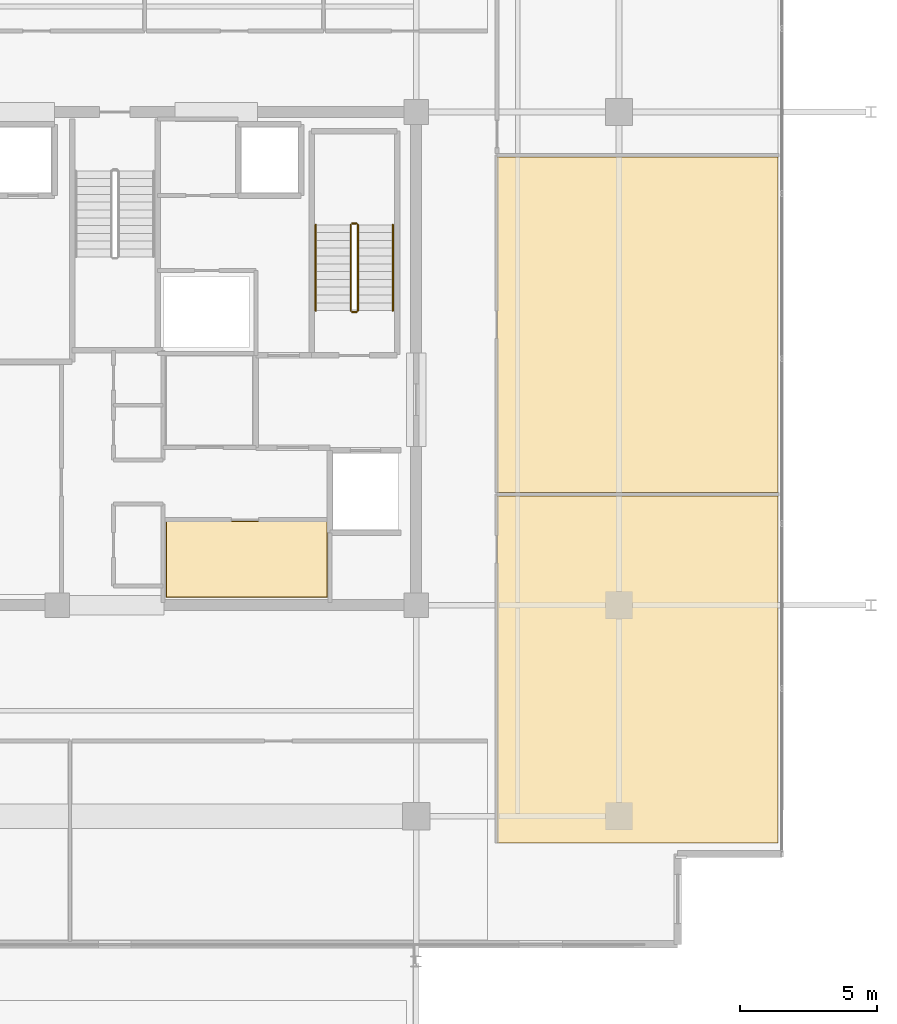
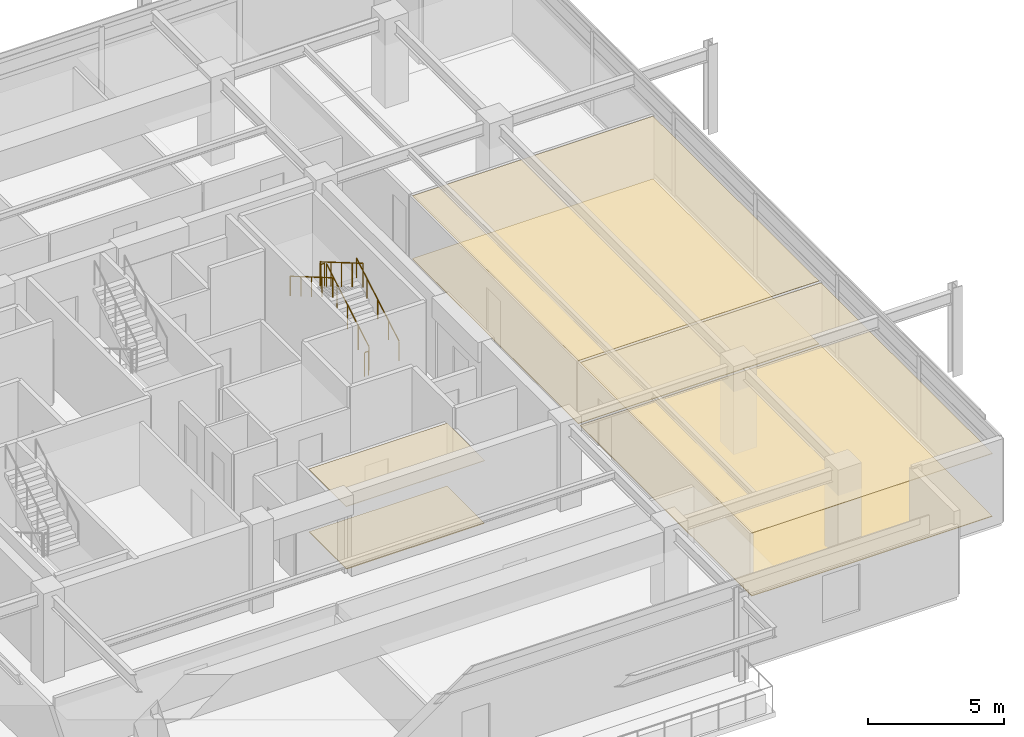
# One storey, part 20 of 21: 6 coverings, 6 railings.
"""IFC4 building model written with IfcOpenShell, lengths in metres."""

from ifc_helpers import new_model, si_unit, direction, frame, origin, origin_2d, place, context, subcontext, project, spatial, polyline, circle, outline, extrude, material, layer, layer_set, type_object, element, save


model = new_model("IFC4")

# Units and contexts
model_context = context("Model", 3, precision=1e-05, world=origin(), true_north=direction((0.0, 1.0)))
body_context = subcontext(model_context, "Body", "Model", "MODEL_VIEW")
ifc_project = project(units=[si_unit("LENGTHUNIT", "METRE"), si_unit("AREAUNIT", "SQUARE_METRE"), si_unit("VOLUMEUNIT", "CUBIC_METRE"), si_unit("PLANEANGLEUNIT", "RADIAN"), si_unit("MASSUNIT", "GRAM", prefix="KILO")], contexts=[model_context])

# Site, building, storey
site_placement = place(None, origin())
site = spatial("IfcSite", under=ifc_project, at=site_placement, CompositionType="ELEMENT")
building_placement = place(site_placement, origin())
building = spatial("IfcBuilding", under=site, at=building_placement, Name="Kovane Verandah Tower", CompositionType="ELEMENT")
storey_placement = place(building_placement, frame((0.0, 0.0, 310.800048828125)))
storey = spatial("IfcBuildingStorey", under=building, at=storey_placement, Name="L72", CompositionType="ELEMENT", Elevation=310.800048828125)

# Coverings
ifc_material_1 = material(Name="Perforated Acoustic Mineral-Fibre Ceiling Tile", Category="gypsum")
ifc_layer_1 = layer(ifc_material_1, 0.02490234375)
ifc_layer_set_1 = layer_set([ifc_layer_1], Name="Perforated Acoustic Mineral-Fibre Ceiling Tile")
covering_type_1 = type_object("IfcCoveringType", Name="CV-CEIL-25", PredefinedType="CEILING", material=ifc_layer_set_1)
covering_1_placement = place(storey_placement, frame((0.0, 0.0, 2.824951171875)))
element("IfcCovering", 1, at=covering_1_placement, inside=storey, type_object=covering_type_1, Name="L72 Records Vault Room Acoustic Ceiling", PredefinedType="CEILING", context=body_context, shape_type="SweptSolid", body=[
    extrude(outline(polyline([(41.864990234375, 18.784912109375), (47.764892578125, 18.784912109375), (47.764892578125, 21.56494140625), (41.864990234375, 21.56494140625), (41.864990234375, 18.784912109375)])), origin(), (0.0, 0.0, 1.0), 0.02490234375),
])
covering_2_placement = place(storey_placement, frame((0.0, 0.0, 2.824951171875)))
element("IfcCovering", 2, at=covering_2_placement, inside=storey, type_object=covering_type_1, Name="L72 Meeting Room E1 Acoustic Ceiling", PredefinedType="CEILING", context=body_context, shape_type="SweptSolid", body=[
    extrude(outline(polyline([(53.949951171875, 9.827880859375), (64.1943359375, 9.827880859375), (64.1943359375, 22.481689453125), (53.949951171875, 22.481689453125), (53.949951171875, 9.827880859375)])), origin(), (0.0, 0.0, 1.0), 0.02490234375),
])
covering_3_placement = place(storey_placement, frame((0.0, 0.0, 2.824951171875)))
element("IfcCovering", 3, at=covering_3_placement, inside=storey, type_object=covering_type_1, Name="L72 Focus Studio E2 Acoustic Ceiling", PredefinedType="CEILING", context=body_context, shape_type="SweptSolid", body=[
    extrude(outline(polyline([(53.949951171875, 22.621826171875), (64.1943359375, 22.621826171875), (64.1943359375, 34.852294921875), (53.949951171875, 34.852294921875), (53.949951171875, 22.621826171875)])), origin(), (0.0, 0.0, 1.0), 0.02490234375),
])
ifc_material_2 = material(Name="Polished Terrazzo and Raised-Access Carpet Tile Finish", Category="concrete")
ifc_layer_2 = layer(ifc_material_2, 0.030029296875)
ifc_layer_set_2 = layer_set([ifc_layer_2], Name="Polished Terrazzo and Raised-Access Carpet Tile Finish")
covering_type_2 = type_object("IfcCoveringType", Name="CV-FLOR-30", PredefinedType="FLOORING", material=ifc_layer_set_2)
covering_4_placement = place(storey_placement, origin())
element("IfcCovering", 4, at=covering_4_placement, inside=storey, type_object=covering_type_2, Name="L72 Records Vault Room Floor Finish", PredefinedType="FLOORING", context=body_context, shape_type="SweptSolid", body=[
    extrude(outline(polyline([(41.8798828125, 18.800048828125), (47.75, 18.800048828125), (47.75, 21.550048828125), (41.8798828125, 21.550048828125), (41.8798828125, 18.800048828125)])), origin(), (0.0, 0.0, 1.0), 0.030029296875),
])
covering_5_placement = place(storey_placement, origin())
element("IfcCovering", 5, at=covering_5_placement, inside=storey, type_object=covering_type_2, Name="L72 Meeting Room E1 Floor Finish", PredefinedType="FLOORING", context=body_context, shape_type="SweptSolid", body=[
    extrude(outline(polyline([(53.949951171875, 9.827880859375), (64.1943359375, 9.827880859375), (64.1943359375, 22.481689453125), (53.949951171875, 22.481689453125), (53.949951171875, 9.827880859375)])), origin(), (0.0, 0.0, 1.0), 0.030029296875),
])
covering_6_placement = place(storey_placement, origin())
element("IfcCovering", 6, at=covering_6_placement, inside=storey, type_object=covering_type_2, Name="L72 Focus Studio E2 Floor Finish", PredefinedType="FLOORING", context=body_context, shape_type="SweptSolid", body=[
    extrude(outline(polyline([(53.949951171875, 22.621826171875), (64.1943359375, 22.621826171875), (64.1943359375, 34.852294921875), (53.949951171875, 34.852294921875), (53.949951171875, 22.621826171875)])), origin(), (0.0, 0.0, 1.0), 0.030029296875),
])

# Railings
ifc_material_3 = material(Name="Brushed Stainless Steel Handrail", Category="steel")
railing_type_1 = type_object("IfcRailingType", Name="RL-HAND-920", PredefinedType="HANDRAIL", material=ifc_material_3)
railing_1_placement = place(storey_placement, frame((50.14990234375, 29.25, 0.16650390625)))
element("IfcRailing", 7, at=railing_1_placement, inside=storey, type_object=railing_type_1, Name="L72 ST-02 stair handrail 1", PredefinedType="HANDRAIL", context=body_context, shape_type="SweptSolid", body=[
    extrude(circle(Radius=0.02392578125, at=origin_2d()), frame((0.0, 0.0, 0.8759765625), z_axis=(0.0, 0.863210265497, 0.504844567704), x_axis=(-1.0, 0.0, 0.0)), (0.0, 0.0, 1.0), 3.6318359375),
    extrude(circle(Radius=0.02099609375, at=origin_2d()), origin(), (0.0, 0.0, 1.0), 0.851806640625),
    extrude(circle(Radius=0.02099609375, at=origin_2d()), frame((0.0, 0.78369140625, 0.45849609375)), (0.0, 0.0, 1.0), 0.851806640625),
    extrude(circle(Radius=0.02099609375, at=origin_2d()), frame((0.0, 1.5673828125, 0.916748046875)), (0.0, 0.0, 1.0), 0.851806640625),
    extrude(circle(Radius=0.02099609375, at=origin_2d()), frame((0.0, 2.351318359375, 1.375)), (0.0, 0.0, 1.0), 0.851806640625),
    extrude(circle(Radius=0.02099609375, at=origin_2d()), frame((0.0, 3.135009765625, 1.83349609375)), (0.0, 0.0, 1.0), 0.851806640625),
])
railing_2_placement = place(storey_placement, frame((47.330078125, 32.385009765625, 2.16650390625)))
element("IfcRailing", 8, at=railing_2_placement, inside=storey, type_object=railing_type_1, Name="L72 ST-02 stair handrail 2", PredefinedType="HANDRAIL", context=body_context, shape_type="SweptSolid", body=[
    extrude(circle(Radius=0.02392578125, at=origin_2d()), frame((0.0, 0.0, 0.8759765625), z_axis=(0.0, -0.863210265497, 0.504844567704), x_axis=(1.0, 0.0, 0.0)), (0.0, 0.0, 1.0), 3.6318359375),
    extrude(circle(Radius=0.02099609375, at=origin_2d()), origin(), (0.0, 0.0, 1.0), 0.851806640625),
    extrude(circle(Radius=0.02099609375, at=origin_2d()), frame((0.0, -0.78369140625, 0.45849609375)), (0.0, 0.0, 1.0), 0.851806640625),
    extrude(circle(Radius=0.02099609375, at=origin_2d()), frame((0.0, -1.5673828125, 0.916748046875)), (0.0, 0.0, 1.0), 0.851806640625),
    extrude(circle(Radius=0.02099609375, at=origin_2d()), frame((0.0, -2.351318359375, 1.375)), (0.0, 0.0, 1.0), 0.851806640625),
    extrude(circle(Radius=0.02099609375, at=origin_2d()), frame((0.0, -3.135009765625, 1.83349609375)), (0.0, 0.0, 1.0), 0.851806640625),
])
ifc_material_4 = material(Name="Painted Steel Stairwell Guardrail", Category="steel")
railing_type_2 = type_object("IfcRailingType", Name="RL-STGUARD-1120", PredefinedType="GUARDRAIL", material=ifc_material_4)
railing_3_placement = place(storey_placement, frame((48.8701171875, 29.25, 0.16650390625)))
element("IfcRailing", 9, at=railing_3_placement, inside=storey, type_object=railing_type_2, Name="L72 ST-02 stair guard 1", PredefinedType="GUARDRAIL", context=body_context, shape_type="SweptSolid", body=[
    extrude(circle(Radius=0.02392578125, at=origin_2d()), frame((0.0, 0.0, 1.076171875), z_axis=(0.0, 0.863210265497, 0.504844567704), x_axis=(-1.0, 0.0, 0.0)), (0.0, 0.0, 1.0), 3.6318359375),
    extrude(circle(Radius=0.02099609375, at=origin_2d()), origin(), (0.0, 0.0, 1.0), 1.052001953125),
    extrude(circle(Radius=0.02099609375, at=origin_2d()), frame((0.0, 0.78369140625, 0.45849609375)), (0.0, 0.0, 1.0), 1.052001953125),
    extrude(circle(Radius=0.02099609375, at=origin_2d()), frame((0.0, 1.5673828125, 0.916748046875)), (0.0, 0.0, 1.0), 1.052001953125),
    extrude(circle(Radius=0.02099609375, at=origin_2d()), frame((0.0, 2.351318359375, 1.375)), (0.0, 0.0, 1.0), 1.052001953125),
    extrude(circle(Radius=0.02099609375, at=origin_2d()), frame((0.0, 3.135009765625, 1.83349609375)), (0.0, 0.0, 1.0), 1.052001953125),
])
railing_4_placement = place(storey_placement, frame((48.820068359375, 32.43505859375, 2.0)))
element("IfcRailing", 10, at=railing_4_placement, inside=storey, type_object=railing_type_2, Name="L72 ST-02 stair guard 2", PredefinedType="GUARDRAIL", context=body_context, shape_type="SweptSolid", body=[
    extrude(circle(Radius=0.02392578125, at=origin_2d()), frame((0.0, 0.0, 1.076171875), z_axis=(-1.0, 0.0, 0.0), x_axis=(0.0, -1.0, 0.0)), (0.0, 0.0, 1.0), 0.16015625),
    extrude(circle(Radius=0.02099609375, at=origin_2d()), origin(), (0.0, 0.0, 1.0), 1.052001953125),
    extrude(circle(Radius=0.02099609375, at=origin_2d()), frame((-0.16015625, 0.0, 0.0)), (0.0, 0.0, 1.0), 1.052001953125),
])
railing_5_placement = place(storey_placement, frame((48.610107421875, 32.385009765625, 2.16650390625)))
element("IfcRailing", 11, at=railing_5_placement, inside=storey, type_object=railing_type_2, Name="L72 ST-02 stair guard 3", PredefinedType="GUARDRAIL", context=body_context, shape_type="SweptSolid", body=[
    extrude(circle(Radius=0.02392578125, at=origin_2d()), frame((0.0, 0.0, 1.076171875), z_axis=(0.0, -0.863210265497, 0.504844567704), x_axis=(1.0, 0.0, 0.0)), (0.0, 0.0, 1.0), 3.6318359375),
    extrude(circle(Radius=0.02099609375, at=origin_2d()), origin(), (0.0, 0.0, 1.0), 1.052001953125),
    extrude(circle(Radius=0.02099609375, at=origin_2d()), frame((0.0, -0.78369140625, 0.45849609375)), (0.0, 0.0, 1.0), 1.052001953125),
    extrude(circle(Radius=0.02099609375, at=origin_2d()), frame((0.0, -1.5673828125, 0.916748046875)), (0.0, 0.0, 1.0), 1.052001953125),
    extrude(circle(Radius=0.02099609375, at=origin_2d()), frame((0.0, -2.351318359375, 1.375)), (0.0, 0.0, 1.0), 1.052001953125),
    extrude(circle(Radius=0.02099609375, at=origin_2d()), frame((0.0, -3.135009765625, 1.83349609375)), (0.0, 0.0, 1.0), 1.052001953125),
])
railing_6_placement = place(storey_placement, frame((48.820068359375, 29.199951171875, 0.0)))
element("IfcRailing", 12, at=railing_6_placement, inside=storey, type_object=railing_type_2, Name="L72 ST-02 stair guard 4", PredefinedType="GUARDRAIL", context=body_context, shape_type="SweptSolid", body=[
    extrude(circle(Radius=0.02392578125, at=origin_2d()), frame((0.0, 0.0, 1.076171875), z_axis=(-1.0, 0.0, 0.0), x_axis=(0.0, -1.0, 0.0)), (0.0, 0.0, 1.0), 0.16015625),
    extrude(circle(Radius=0.02099609375, at=origin_2d()), origin(), (0.0, 0.0, 1.0), 1.052001953125),
    extrude(circle(Radius=0.02099609375, at=origin_2d()), frame((-0.16015625, 0.0, 0.0)), (0.0, 0.0, 1.0), 1.052001953125),
])

save(model, "model.ifc")
